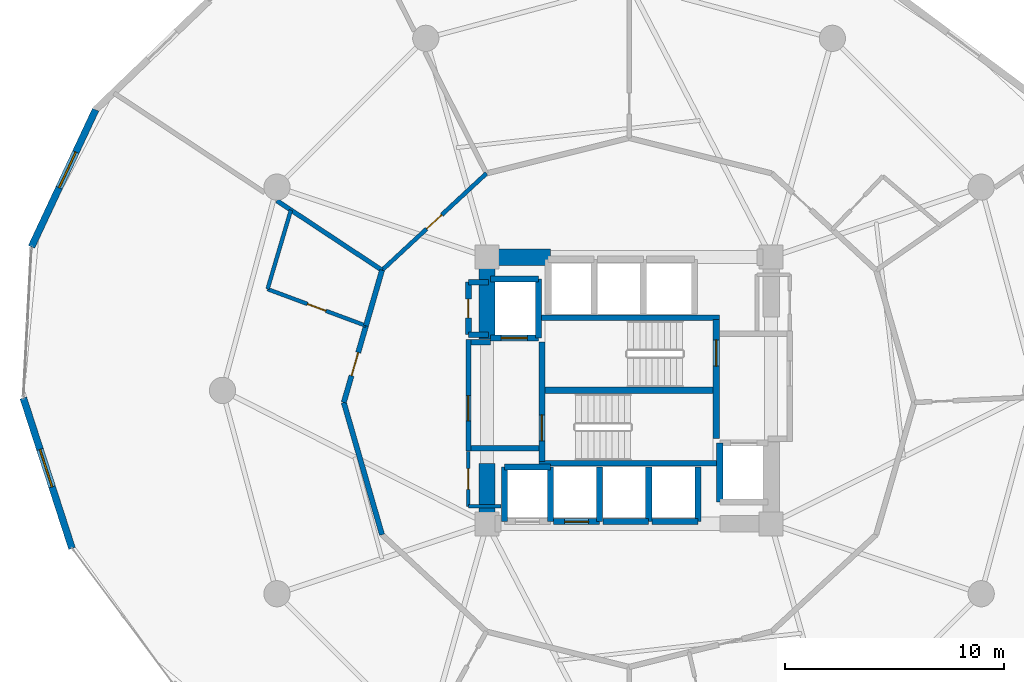
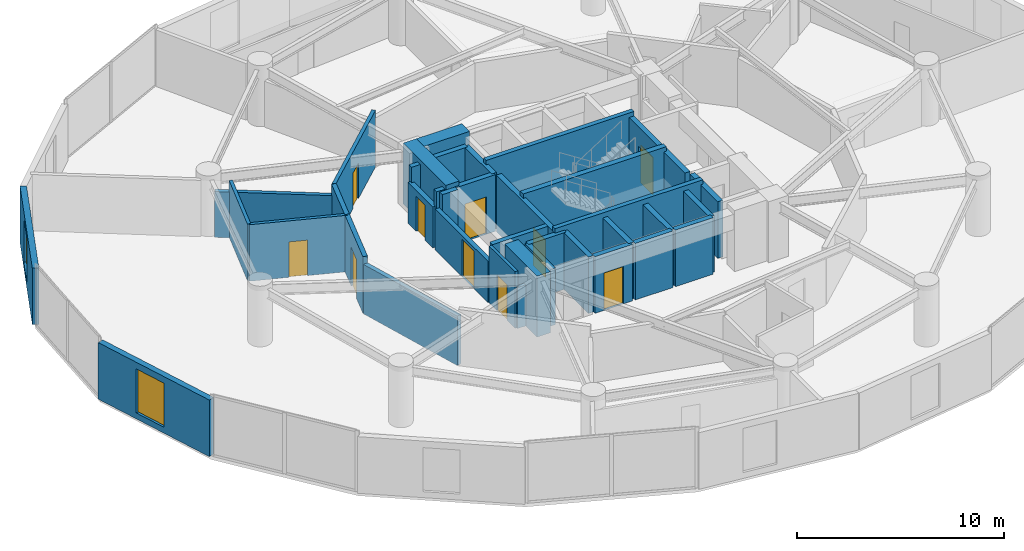
# One storey, part 20 of 25: 38 walls, 10 doors, 2 windows, 12 openings.
"""IFC4 building model written with IfcOpenShell, lengths in metres."""

from ifc_helpers import new_model, si_unit, direction, frame, frame_2d, origin, place, context, subcontext, project, spatial, rectangle, extrude, material, layer, layer_set, type_object, element, fill, save


model = new_model("IFC4")

# Units and contexts
model_context = context("Model", 3, precision=1e-05, world=origin(), true_north=direction((0.0, 1.0)))
body_context = subcontext(model_context, "Body", "Model", "MODEL_VIEW")
ifc_project = project(units=[si_unit("LENGTHUNIT", "METRE"), si_unit("AREAUNIT", "SQUARE_METRE"), si_unit("VOLUMEUNIT", "CUBIC_METRE"), si_unit("PLANEANGLEUNIT", "RADIAN"), si_unit("MASSUNIT", "GRAM", prefix="KILO")], contexts=[model_context])

# Site, building, storey
site_placement = place(None, origin())
site = spatial("IfcSite", under=ifc_project, at=site_placement, CompositionType="ELEMENT")
building_placement = place(site_placement, origin())
building = spatial("IfcBuilding", under=site, at=building_placement, Name="Solvirekh Grand Hotel", CompositionType="ELEMENT")
storey_placement = place(building_placement, frame((0.0, 0.0, 57.199951171875)))
storey = spatial("IfcBuildingStorey", under=building, at=storey_placement, Name="L13", CompositionType="ELEMENT", Elevation=57.199951171875)

# Walls
ifc_material_1 = material(Name="Concrete C50/60", Category="concrete")
ifc_layer_1 = layer(ifc_material_1, 0.35009765625)
ifc_layer_set_1 = layer_set([ifc_layer_1], Name="Concrete C50/60")
wall_type_1 = type_object("IfcWallType", Name="CoreDivWall_RC350", PredefinedType="SOLIDWALL", material=ifc_layer_set_1)
for number, where, z_axis, x_axis, name in (
    (1, (-4.1298828125, -3.324951171875, 0.0), (0.0, 0.0, 1.0), (1.0, 0.0, 0.0), "L13 core stair box wall ST-S"),
    (2, (-4.1298828125, 3.324951171875, 0.0), (0.0, 0.0, 1.0), (1.0, 0.0, 0.0), "L13 core stair box wall ST-N"),
):
    element("IfcWall", number, at=place(storey_placement, frame(where, z_axis=z_axis, x_axis=x_axis)), inside=storey, type_object=wall_type_1, Name=name, PredefinedType="SOLIDWALL", context=body_context, shape_type="SweptSolid", body=[
        extrude(rectangle(XDim=8.259765625, YDim=0.25, at=frame_2d((4.1298828125, 0.0))), origin(), (0.0, 0.0, 1.0), 3.60009765625),
    ])
ifc_material_2 = material(Name="Concrete C40/50", Category="concrete")
ifc_layer_2 = layer(ifc_material_2, 0.280029296875)
ifc_layer_set_2 = layer_set([ifc_layer_2], Name="Concrete C40/50")
wall_type_2 = type_object("IfcWallType", Name="CoreShaftWall_RC280", PredefinedType="SOLIDWALL", material=ifc_layer_set_2)
wall_1_placement = place(storey_placement, frame((-3.60009765625, -3.5, 0.0), z_axis=(0.0, 0.0, 1.0), x_axis=(-1.0, 0.0, 0.0)))
element("IfcWall", 3, at=wall_1_placement, inside=storey, type_object=wall_type_2, Name="L13 LP-1 hoistway N wall", PredefinedType="SOLIDWALL", context=body_context, shape_type="SweptSolid", body=[
    extrude(rectangle(XDim=2.099853515625, YDim=0.280029296875, at=frame_2d((1.0498046875, 0.0))), origin(), (0.0, 0.0, 1.0), 3.340087890625),
])
for number, where, z_axis, x_axis, name in (
    (4, (-5.699951171875, -3.5, 0.0), (0.0, 0.0, 1.0), (0.0, -1.0, 0.0), "L13 LP-1 hoistway W wall"),
    (5, (-3.60009765625, -6.0, 0.0), (0.0, 0.0, 1.0), (0.0, 1.0, 0.0), "L13 LP-1 hoistway E wall"),
):
    element("IfcWall", number, at=place(storey_placement, frame(where, z_axis=z_axis, x_axis=x_axis)), inside=storey, type_object=wall_type_2, Name=name, PredefinedType="SOLIDWALL", context=body_context, shape_type="SweptSolid", body=[
        extrude(rectangle(XDim=2.5, YDim=0.280029296875, at=frame_2d((1.25, 0.0))), origin(), (0.0, 0.0, 1.0), 3.340087890625),
    ])

# Wall, opening, door
wall_2_placement = place(storey_placement, frame((-3.449951171875, -6.0, 0.0), z_axis=(0.0, 0.0, 1.0), x_axis=(1.0, 0.0, 0.0)))
wall_2 = element("IfcWall", 6, at=wall_2_placement, inside=storey, type_object=wall_type_2, Name="L13 LP-2 hoistway S wall", PredefinedType="SOLIDWALL", context=body_context, shape_type="SweptSolid", body=[
    extrude(rectangle(XDim=2.099853515625, YDim=0.280029296875, at=frame_2d((1.0498046875, 0.0))), origin(), (0.0, 0.0, 1.0), 3.340087890625),
])
opening_1_placement = place(wall_2_placement, frame((0.5, 0.0, 0.0)))
opening_1 = element("IfcOpeningElement", 7, at=opening_1_placement, cuts=wall_2, Name="Opening LD01", PredefinedType="OPENING", context=body_context, shape_type="SweptSolid", body=[
    extrude(rectangle(XDim=1.10009765625, YDim=2.199951171875, at=frame_2d((0.550048828125, 1.10009765625))), frame((0.0, 0.14990234375, 0.0), z_axis=(0.0, -1.0, 0.0), x_axis=(1.0, 0.0, 0.0)), (0.0, 0.0, 1.0), 0.300048828125),
])
ifc_material_3 = material(Name="Fire-Rated Steel Door Assembly", Category="steel")
door_type_1 = type_object("IfcDoorType", Name="Door_LiftLanding_1100X2200", OperationType="SLIDING_TO_LEFT", PredefinedType="DOOR", material=ifc_material_3)
door_1_placement = place(opening_1_placement, origin())
door_1 = element("IfcDoor", 8, at=door_1_placement, inside=storey, type_object=door_type_1, Name="L13 LP-2 sliding lift landing door", OperationType="SLIDING_TO_LEFT", OverallHeight=2.199951171875, OverallWidth=1.10009765625, PredefinedType="DOOR", context=body_context, shape_type="SweptSolid", body=[
    extrude(rectangle(XDim=1.10009765625, YDim=2.199951171875, at=frame_2d((0.550048828125, 1.10009765625))), frame((0.0, 0.02490234375, 0.0), z_axis=(0.0, -1.0, 0.0), x_axis=(1.0, 0.0, 0.0)), (0.0, 0.0, 1.0), 0.050048828125),
])
fill(opening_1, door_1)

# Walls
wall_3_placement = place(storey_placement, frame((-1.35009765625, -6.0, 0.0), z_axis=(0.0, 0.0, 1.0), x_axis=(0.0, 1.0, 0.0)))
element("IfcWall", 9, at=wall_3_placement, inside=storey, type_object=wall_type_2, Name="L13 LP-2 hoistway E wall", PredefinedType="SOLIDWALL", context=body_context, shape_type="SweptSolid", body=[
    extrude(rectangle(XDim=2.5, YDim=0.280029296875, at=frame_2d((1.25, 0.0))), origin(), (0.0, 0.0, 1.0), 3.340087890625),
])
wall_4_placement = place(storey_placement, frame((-1.199951171875, -6.0, 0.0), z_axis=(0.0, 0.0, 1.0), x_axis=(1.0, 0.0, 0.0)))
element("IfcWall", 10, at=wall_4_placement, inside=storey, type_object=wall_type_2, Name="L13 MP-1 hoistway S wall", PredefinedType="SOLIDWALL", context=body_context, shape_type="SweptSolid", body=[
    extrude(rectangle(XDim=2.099853515625, YDim=0.280029296875, at=frame_2d((1.0498046875, 0.0))), origin(), (0.0, 0.0, 1.0), 3.340087890625),
])
wall_5_placement = place(storey_placement, frame((0.89990234375, -6.0, 0.0), z_axis=(0.0, 0.0, 1.0), x_axis=(0.0, 1.0, 0.0)))
element("IfcWall", 11, at=wall_5_placement, inside=storey, type_object=wall_type_2, Name="L13 MP-1 hoistway E wall", PredefinedType="SOLIDWALL", context=body_context, shape_type="SweptSolid", body=[
    extrude(rectangle(XDim=2.5, YDim=0.280029296875, at=frame_2d((1.25, 0.0))), origin(), (0.0, 0.0, 1.0), 3.340087890625),
])
wall_6_placement = place(storey_placement, frame((1.050048828125, -6.0, 0.0), z_axis=(0.0, 0.0, 1.0), x_axis=(1.0, 0.0, 0.0)))
element("IfcWall", 12, at=wall_6_placement, inside=storey, type_object=wall_type_2, Name="L13 MP-2 hoistway S wall", PredefinedType="SOLIDWALL", context=body_context, shape_type="SweptSolid", body=[
    extrude(rectangle(XDim=2.099853515625, YDim=0.280029296875, at=frame_2d((1.0498046875, 0.0))), origin(), (0.0, 0.0, 1.0), 3.340087890625),
])
wall_7_placement = place(storey_placement, frame((3.14990234375, -6.0, 0.0), z_axis=(0.0, 0.0, 1.0), x_axis=(0.0, 1.0, 0.0)))
element("IfcWall", 13, at=wall_7_placement, inside=storey, type_object=wall_type_2, Name="L13 MP-2 hoistway E wall", PredefinedType="SOLIDWALL", context=body_context, shape_type="SweptSolid", body=[
    extrude(rectangle(XDim=2.5, YDim=0.280029296875, at=frame_2d((1.25, 0.0))), origin(), (0.0, 0.0, 1.0), 3.340087890625),
])

# Wall, opening, door
wall_8_placement = place(storey_placement, frame((-6.35009765625, 2.39990234375, 0.0), z_axis=(0.0, 0.0, 1.0), x_axis=(1.0, 0.0, 0.0)))
wall_8 = element("IfcWall", 14, at=wall_8_placement, inside=storey, type_object=wall_type_2, Name="L13 FL-1 hoistway S wall", PredefinedType="SOLIDWALL", context=body_context, shape_type="SweptSolid", body=[
    extrude(rectangle(XDim=2.2001953125, YDim=0.280029296875, at=frame_2d((1.10009765625, 0.0))), origin(), (0.0, 0.0, 1.0), 3.340087890625),
])
opening_2_placement = place(wall_8_placement, frame((0.5, 0.0, 0.0)))
opening_2 = element("IfcOpeningElement", 15, at=opening_2_placement, cuts=wall_8, Name="Opening LD02", PredefinedType="OPENING", context=body_context, shape_type="SweptSolid", body=[
    extrude(rectangle(XDim=1.199951171875, YDim=2.199951171875, at=frame_2d((0.60009765625, 1.10009765625))), frame((0.0, 0.14990234375, 0.0), z_axis=(0.0, -1.0, 0.0), x_axis=(1.0, 0.0, 0.0)), (0.0, 0.0, 1.0), 0.300048828125),
])
door_type_2 = type_object("IfcDoorType", Name="Door_LiftFF_1200X2200", OperationType="SLIDING_TO_LEFT", PredefinedType="DOOR", material=ifc_material_3)
door_2_placement = place(opening_2_placement, origin())
door_2 = element("IfcDoor", 16, at=door_2_placement, inside=storey, type_object=door_type_2, Name="L13 FL-1 sliding lift landing door", OperationType="SLIDING_TO_LEFT", OverallHeight=2.199951171875, OverallWidth=1.199951171875, PredefinedType="DOOR", context=body_context, shape_type="SweptSolid", body=[
    extrude(rectangle(XDim=1.199951171875, YDim=2.199951171875, at=frame_2d((0.60009765625, 1.10009765625))), frame((0.0, 0.02490234375, 0.0), z_axis=(0.0, -1.0, 0.0), x_axis=(1.0, 0.0, 0.0)), (0.0, 0.0, 1.0), 0.050048828125),
])
fill(opening_2, door_2)

# Walls
wall_9_placement = place(storey_placement, frame((-4.14990234375, 5.10009765625, 0.0), z_axis=(0.0, 0.0, 1.0), x_axis=(-1.0, 0.0, 0.0)))
element("IfcWall", 17, at=wall_9_placement, inside=storey, type_object=wall_type_2, Name="L13 FL-1 hoistway N wall", PredefinedType="SOLIDWALL", context=body_context, shape_type="SweptSolid", body=[
    extrude(rectangle(XDim=2.2001953125, YDim=0.280029296875, at=frame_2d((1.10009765625, 0.0))), origin(), (0.0, 0.0, 1.0), 3.340087890625),
])
for number, where, z_axis, x_axis, name in (
    (18, (-4.14990234375, 2.39990234375, 0.0), (0.0, 0.0, 1.0), (0.0, 1.0, 0.0), "L13 FL-1 hoistway E wall"),
    (19, (4.14990234375, -2.39990234375, 0.0), (0.0, 0.0, 1.0), (0.0, -1.0, 0.0), "L13 FL-2 hoistway W wall"),
):
    element("IfcWall", number, at=place(storey_placement, frame(where, z_axis=z_axis, x_axis=x_axis)), inside=storey, type_object=wall_type_2, Name=name, PredefinedType="SOLIDWALL", context=body_context, shape_type="SweptSolid", body=[
        extrude(rectangle(XDim=2.7001953125, YDim=0.280029296875, at=frame_2d((1.35009765625, 0.0))), origin(), (0.0, 0.0, 1.0), 3.340087890625),
    ])

# Wall, opening, door
wall_10_placement = place(storey_placement, frame((-3.989990234375, -3.25, 0.0), z_axis=(0.0, 0.0, 1.0), x_axis=(0.0, 1.0, 0.0)))
wall_10 = element("IfcWall", 20, at=wall_10_placement, inside=storey, type_object=wall_type_2, Name="L13 west stair landing enclosure wall", PredefinedType="SOLIDWALL", context=body_context, shape_type="SweptSolid", body=[
    extrude(rectangle(XDim=5.4599609375, YDim=0.280029296875, at=frame_2d((2.72998046875, 0.0))), origin(), (0.0, 0.0, 1.0), 3.340087890625),
])
opening_3_placement = place(wall_10_placement, frame((0.93701171875, 0.0, 0.0)))
opening_3 = element("IfcOpeningElement", 21, at=opening_3_placement, cuts=wall_10, Name="Opening D05", PredefinedType="OPENING", context=body_context, shape_type="SweptSolid", body=[
    extrude(rectangle(XDim=1.199951171875, YDim=2.199951171875, at=frame_2d((0.60009765625, 1.10009765625))), frame((0.0, 0.14990234375, 0.0), z_axis=(0.0, -1.0, 0.0), x_axis=(1.0, 0.0, 0.0)), (0.0, 0.0, 1.0), 0.300048828125),
])
door_type_3 = type_object("IfcDoorType", Name="Door_StairCore_1200X2200", OperationType="NOTDEFINED", PredefinedType="DOOR", material=ifc_material_3)
door_3_placement = place(opening_3_placement, origin())
door_3 = element("IfcDoor", 22, at=door_3_placement, inside=storey, type_object=door_type_3, Name="L13 exit stair ST-1 fire door", OperationType="SINGLE_SWING_RIGHT", OverallHeight=2.199951171875, OverallWidth=1.199951171875, PredefinedType="DOOR", context=body_context, shape_type="SweptSolid", body=[
    extrude(rectangle(XDim=1.199951171875, YDim=2.199951171875, at=frame_2d((0.60009765625, 1.10009765625))), frame((0.0, 0.02490234375, 0.0), z_axis=(0.0, -1.0, 0.0), x_axis=(1.0, 0.0, 0.0)), (0.0, 0.0, 1.0), 0.050048828125),
])
fill(opening_3, door_3)

wall_11_placement = place(storey_placement, frame((3.989990234375, -2.2099609375, 0.0), z_axis=(0.0, 0.0, 1.0), x_axis=(0.0, 1.0, 0.0)))
wall_11 = element("IfcWall", 23, at=wall_11_placement, inside=storey, type_object=wall_type_2, Name="L13 east stair landing enclosure wall", PredefinedType="SOLIDWALL", context=body_context, shape_type="SweptSolid", body=[
    extrude(rectangle(XDim=5.4599609375, YDim=0.280029296875, at=frame_2d((2.72998046875, 0.0))), origin(), (0.0, 0.0, 1.0), 3.340087890625),
])
opening_4_placement = place(wall_11_placement, frame((3.322998046875, 0.0, 0.0)))
opening_4 = element("IfcOpeningElement", 24, at=opening_4_placement, cuts=wall_11, Name="Opening D05", PredefinedType="OPENING", context=body_context, shape_type="SweptSolid", body=[
    extrude(rectangle(XDim=1.199951171875, YDim=2.199951171875, at=frame_2d((0.60009765625, 1.10009765625))), frame((0.0, 0.14990234375, 0.0), z_axis=(0.0, -1.0, 0.0), x_axis=(1.0, 0.0, 0.0)), (0.0, 0.0, 1.0), 0.300048828125),
])
door_4_placement = place(opening_4_placement, origin())
door_4 = element("IfcDoor", 25, at=door_4_placement, inside=storey, type_object=door_type_3, Name="L13 exit stair ST-2 fire door", OperationType="SINGLE_SWING_LEFT", OverallHeight=2.199951171875, OverallWidth=1.199951171875, PredefinedType="DOOR", context=body_context, shape_type="SweptSolid", body=[
    extrude(rectangle(XDim=1.199951171875, YDim=2.199951171875, at=frame_2d((0.60009765625, 1.10009765625))), frame((0.0, 0.02490234375, 0.0), z_axis=(0.0, -1.0, 0.0), x_axis=(1.0, 0.0, 0.0)), (0.0, 0.0, 1.0), 0.050048828125),
])
fill(opening_4, door_4)

# Walls
ifc_material_4 = material(Name="Concrete C60/75", Category="concrete")
ifc_layer_3 = layer(ifc_material_4, 0.75)
ifc_layer_set_3 = layer_set([ifc_layer_3], Name="Concrete C60/75")
wall_type_3 = type_object("IfcWallType", Name="CoreWall_RC750", PredefinedType="SHEAR", material=ifc_layer_set_3)
wall_12_placement = place(storey_placement, frame((-3.989990234375, 0.0, 0.0), z_axis=(0.0, 0.0, 1.0), x_axis=(1.0, 0.0, 0.0)))
element("IfcWall", 26, at=wall_12_placement, inside=storey, type_object=wall_type_3, Name="L13 central stair-spine shear wall", PredefinedType="SHEAR", context=body_context, shape_type="SweptSolid", body=[
    extrude(rectangle(XDim=7.97998046875, YDim=0.300048828125, at=frame_2d((3.989990234375, 0.0))), origin(), (0.0, 0.0, 1.0), 3.60009765625),
])
wall_13_placement = place(storey_placement, frame((-6.125, 6.10009765625, 0.0), z_axis=(0.0, 0.0, 1.0), x_axis=(1.0, 0.0, 0.0)))
element("IfcWall", 27, at=wall_13_placement, inside=storey, type_object=wall_type_3, Name="L13 core corner shear wall NW-N", PredefinedType="SHEAR", context=body_context, shape_type="SweptSolid", body=[
    extrude(rectangle(XDim=2.52490234375, YDim=0.75, at=frame_2d((1.262451171875, 0.0))), origin(), (0.0, 0.0, 1.0), 3.60009765625),
])
wall_14_placement = place(storey_placement, frame((-6.5, 2.35009765625, 0.0), z_axis=(0.0, 0.0, 1.0), x_axis=(0.0, 1.0, 0.0)))
element("IfcWall", 28, at=wall_14_placement, inside=storey, type_object=wall_type_3, Name="L13 core corner shear wall WN-W", PredefinedType="SHEAR", context=body_context, shape_type="SweptSolid", body=[
    extrude(rectangle(XDim=4.125, YDim=0.75, at=frame_2d((2.0625, 0.0))), origin(), (0.0, 0.0, 1.0), 3.60009765625),
])
wall_15_placement = place(storey_placement, frame((-6.5, -6.47509765625, 0.0), z_axis=(0.0, 0.0, 1.0), x_axis=(0.0, 1.0, 0.0)))
element("IfcWall", 29, at=wall_15_placement, inside=storey, type_object=wall_type_3, Name="L13 core corner shear wall WS-W", PredefinedType="SHEAR", context=body_context, shape_type="SweptSolid", body=[
    extrude(rectangle(XDim=3.125, YDim=0.75, at=frame_2d((1.5625, 0.0))), origin(), (0.0, 0.0, 1.0), 3.60009765625),
])

# Wall, opening, window
ifc_material_5 = material(Name="Precast concrete C45/55", Category="concrete")
ifc_layer_4 = layer(ifc_material_5, 0.320068359375)
ifc_layer_set_4 = layer_set([ifc_layer_4], Name="Precast concrete C45/55")
wall_type_4 = type_object("IfcWallType", Name="ExtLobbyWall_RC320", PredefinedType="SOLIDWALL", material=ifc_layer_set_4)
wall_16_placement = place(storey_placement, frame((-27.339111328125, 6.568115234375, 0.0), z_axis=(0.0, 0.0, 1.0), x_axis=(0.423911806675, 0.905703472535, 0.0)))
wall_16 = element("IfcWall", 30, at=wall_16_placement, inside=storey, type_object=wall_type_4, Name="L13 exterior structural wall chord 10", PredefinedType="SOLIDWALL", context=body_context, shape_type="SweptSolid", body=[
    extrude(rectangle(XDim=6.926025390625, YDim=0.320068359375, at=frame_2d((3.462890625, 0.0))), origin(), (0.0, 0.0, 1.0), 3.340087890625),
])
opening_5_placement = place(wall_16_placement, frame((2.988037109375, 0.0, 0.35009765625)))
opening_5 = element("IfcOpeningElement", 31, at=opening_5_placement, cuts=wall_16, Name="Opening W02", PredefinedType="OPENING", context=body_context, shape_type="SweptSolid", body=[
    extrude(rectangle(XDim=1.800048828125, YDim=2.60009765625, at=frame_2d((0.89990234375, 1.300048828125))), frame((0.0, 0.169921875, 0.0), z_axis=(0.0, -1.0, 0.0), x_axis=(1.0, 0.0, 0.0)), (0.0, 0.0, 1.0), 0.340087890625),
])
ifc_material_6 = material(Name="Low-E Tinted Bronze Laminated Glass", Category="aluminium")
window_type = type_object("IfcWindowType", Name="Win_LobbyExt_1800X2600", PartitioningType="SINGLE_PANEL", PredefinedType="WINDOW", material=ifc_material_6)
window_1_placement = place(opening_5_placement, origin())
window_1 = element("IfcWindow", 32, at=window_1_placement, inside=storey, type_object=window_type, Name="L13 panoramic bronze-framed window 10", OverallHeight=2.60009765625, OverallWidth=1.800048828125, PartitioningType="SINGLE_PANEL", PredefinedType="WINDOW", context=body_context, shape_type="SweptSolid", body=[
    extrude(rectangle(XDim=1.800048828125, YDim=2.60009765625, at=frame_2d((0.89990234375, 1.300048828125))), frame((0.0, 0.030029296875, 0.0), z_axis=(0.0, -1.0, 0.0), x_axis=(1.0, 0.0, 0.0)), (0.0, 0.0, 1.0), 0.06005859375),
])
fill(opening_5, window_1)

wall_17_placement = place(storey_placement, frame((-25.48291015625, -7.22900390625, 0.0), z_axis=(0.0, 0.0, 1.0), x_axis=(-0.308004491878, 0.951384902646, 0.0)))
wall_17 = element("IfcWall", 33, at=wall_17_placement, inside=storey, type_object=wall_type_4, Name="L13 exterior structural wall chord 12", PredefinedType="SOLIDWALL", context=body_context, shape_type="SweptSolid", body=[
    extrude(rectangle(XDim=7.233642578125, YDim=0.320068359375, at=frame_2d((3.61669921875, 0.0))), origin(), (0.0, 0.0, 1.0), 3.340087890625),
])
opening_6_placement = place(wall_17_placement, frame((2.9599609375, 0.0, 0.35009765625)))
opening_6 = element("IfcOpeningElement", 34, at=opening_6_placement, cuts=wall_17, Name="Opening W02", PredefinedType="OPENING", context=body_context, shape_type="SweptSolid", body=[
    extrude(rectangle(XDim=1.800048828125, YDim=2.60009765625, at=frame_2d((0.89990234375, 1.300048828125))), frame((0.0, 0.169921875, 0.0), z_axis=(0.0, -1.0, 0.0), x_axis=(1.0, 0.0, 0.0)), (0.0, 0.0, 1.0), 0.340087890625),
])
window_2_placement = place(opening_6_placement, origin())
window_2 = element("IfcWindow", 35, at=window_2_placement, inside=storey, type_object=window_type, Name="L13 panoramic bronze-framed window 12", OverallHeight=2.60009765625, OverallWidth=1.800048828125, PartitioningType="SINGLE_PANEL", PredefinedType="WINDOW", context=body_context, shape_type="SweptSolid", body=[
    extrude(rectangle(XDim=1.800048828125, YDim=2.60009765625, at=frame_2d((0.89990234375, 1.300048828125))), frame((0.0, 0.030029296875, 0.0), z_axis=(0.0, -1.0, 0.0), x_axis=(1.0, 0.0, 0.0)), (0.0, 0.0, 1.0), 0.06005859375),
])
fill(opening_6, window_2)

# Wall
ifc_material_7 = material(Name="Acoustic Gypsum Partition Assembly")
ifc_layer_5 = layer(ifc_material_7, 0.1650390625)
ifc_layer_set_5 = layer_set([ifc_layer_5], Name="Acoustic Gypsum Partition Assembly")
wall_type_5 = type_object("IfcWallType", Name="Part_BOH_165", PredefinedType="PARTITIONING", material=ifc_layer_set_5)
wall_18_placement = place(storey_placement, frame((-7.35009765625, -5.300048828125, 0.0), z_axis=(0.0, 0.0, 1.0), x_axis=(1.0, 0.0, 0.0)))
element("IfcWall", 36, at=wall_18_placement, inside=storey, type_object=wall_type_5, Name="L13 L13 Core Linen Store wall 1", PredefinedType="PARTITIONING", context=body_context, shape_type="SweptSolid", body=[
    extrude(rectangle(XDim=1.5, YDim=0.1650390625, at=frame_2d((0.75, 0.0))), origin(), (0.0, 0.0, 1.0), 2.425048828125),
])

# Wall, opening, door
wall_19_placement = place(storey_placement, frame((-7.35009765625, -2.800048828125, 0.0), z_axis=(0.0, 0.0, 1.0), x_axis=(0.0, -1.0, 0.0)))
wall_19 = element("IfcWall", 37, at=wall_19_placement, inside=storey, type_object=wall_type_5, Name="L13 L13 Core Linen Store wall 4", PredefinedType="PARTITIONING", context=body_context, shape_type="SweptSolid", body=[
    extrude(rectangle(XDim=2.5, YDim=0.1650390625, at=frame_2d((1.25, 0.0))), origin(), (0.0, 0.0, 1.0), 3.340087890625),
])
opening_7_placement = place(wall_19_placement, frame((0.77490234375, 0.0, 0.0)))
opening_7 = element("IfcOpeningElement", 38, at=opening_7_placement, cuts=wall_19, Name="Opening D10", PredefinedType="OPENING", context=body_context, shape_type="SweptSolid", body=[
    extrude(rectangle(XDim=0.949951171875, YDim=2.10009765625, at=frame_2d((0.47509765625, 1.050048828125))), frame((0.0, 0.092529296875, 0.0), z_axis=(0.0, -1.0, 0.0), x_axis=(1.0, 0.0, 0.0)), (0.0, 0.0, 1.0), 0.18505859375),
])
ifc_material_8 = material(Name="Anodized Bronze Aluminium 6063-T6", Category="aluminium")
door_type_4 = type_object("IfcDoorType", Name="Door_RoomInt_950X2100", OperationType="NOTDEFINED", PredefinedType="DOOR", material=ifc_material_8)
door_5_placement = place(opening_7_placement, origin())
door_5 = element("IfcDoor", 39, at=door_5_placement, inside=storey, type_object=door_type_4, Name="L13 L13 Core Linen Store door", OperationType="SINGLE_SWING_LEFT", OverallHeight=2.10009765625, OverallWidth=0.949951171875, PredefinedType="DOOR", context=body_context, shape_type="SweptSolid", body=[
    extrude(rectangle(XDim=0.949951171875, YDim=2.10009765625, at=frame_2d((0.47509765625, 1.050048828125))), frame((0.0, 0.02490234375, 0.0), z_axis=(0.0, -1.0, 0.0), x_axis=(1.0, 0.0, 0.0)), (0.0, 0.0, 1.0), 0.050048828125),
])
fill(opening_7, door_5)

ifc_layer_6 = layer(ifc_material_7, 0.239990234375)
ifc_layer_set_6 = layer_set([ifc_layer_6], Name="Acoustic Gypsum Partition Assembly")
wall_type_6 = type_object("IfcWallType", Name="Part_Corridor_240", PredefinedType="PARTITIONING", material=ifc_layer_set_6)
wall_20_placement = place(storey_placement, frame((-7.35009765625, -2.780029296875, 0.0), z_axis=(0.0, 0.0, 1.0), x_axis=(0.0, 1.0, 0.0)))
wall_20 = element("IfcWall", 40, at=wall_20_placement, inside=storey, type_object=wall_type_6, Name="L13 west firefighting lobby smoke screen wall", PredefinedType="PARTITIONING", context=body_context, shape_type="SweptSolid", body=[
    extrude(rectangle(XDim=5.1201171875, YDim=0.239990234375, at=frame_2d((2.56005859375, 0.0))), origin(), (0.0, 0.0, 1.0), 2.425048828125),
])
opening_8_placement = place(wall_20_placement, frame((1.388916015625, 0.0, 0.0)))
opening_8 = element("IfcOpeningElement", 41, at=opening_8_placement, cuts=wall_20, Name="Opening D06", PredefinedType="OPENING", context=body_context, shape_type="SweptSolid", body=[
    extrude(rectangle(XDim=1.14990234375, YDim=2.199951171875, at=frame_2d((0.574951171875, 1.10009765625))), frame((0.0, 0.1298828125, 0.0), z_axis=(0.0, -1.0, 0.0), x_axis=(1.0, 0.0, 0.0)), (0.0, 0.0, 1.0), 0.260009765625),
])
door_type_5 = type_object("IfcDoorType", Name="Door_FFLobby_1150X2200", OperationType="NOTDEFINED", PredefinedType="DOOR", material=ifc_material_3)
door_6_placement = place(opening_8_placement, origin())
door_6 = element("IfcDoor", 42, at=door_6_placement, inside=storey, type_object=door_type_5, Name="L13 west firefighting lobby smoke door", OperationType="SINGLE_SWING_RIGHT", OverallHeight=2.199951171875, OverallWidth=1.14990234375, PredefinedType="DOOR", context=body_context, shape_type="SweptSolid", body=[
    extrude(rectangle(XDim=1.14990234375, YDim=2.199951171875, at=frame_2d((0.574951171875, 1.10009765625))), frame((0.0, 0.02490234375, 0.0), z_axis=(0.0, -1.0, 0.0), x_axis=(1.0, 0.0, 0.0)), (0.0, 0.0, 1.0), 0.050048828125),
])
fill(opening_8, door_6)

# Walls
wall_21_placement = place(storey_placement, frame((-11.302001953125, 5.5, 0.0), z_axis=(0.0, 0.0, 1.0), x_axis=(-0.277475281216, -0.960732776746, 0.0)))
element("IfcWall", 43, at=wall_21_placement, inside=storey, type_object=wall_type_6, Name="L13 En-suite Bathroom 1501 corridor backing wall", PredefinedType="PARTITIONING", context=body_context, shape_type="SweptSolid", body=[
    extrude(rectangle(XDim=2.644775390625, YDim=0.239990234375, at=frame_2d((1.322265625, 0.0))), origin(), (0.0, 0.0, 1.0), 3.340087890625),
])
wall_22_placement = place(storey_placement, frame((-13.050048828125, -0.550048828125, 0.0), z_axis=(0.0, 0.0, 1.0), x_axis=(0.27757702443, -0.960703385811, 0.0)))
element("IfcWall", 44, at=wall_22_placement, inside=storey, type_object=wall_type_6, Name="L13 Presidential Suite 1501 Living Room corridor wall 1", PredefinedType="PARTITIONING", context=body_context, shape_type="SweptSolid", body=[
    extrude(rectangle(XDim=6.297607421875, YDim=0.239990234375, at=frame_2d((3.14892578125, 0.0))), origin(), (0.0, 0.0, 1.0), 2.9189453125),
])

# Wall, opening, door
wall_23_placement = place(storey_placement, frame((-12.035888671875, 2.958984375, 0.0), z_axis=(0.0, 0.0, 1.0), x_axis=(-0.277650694477, -0.960682097187, 0.0)))
wall_23 = element("IfcWall", 45, at=wall_23_placement, inside=storey, type_object=wall_type_6, Name="L13 Presidential Suite 1501 Living Room entrance wall", PredefinedType="PARTITIONING", context=body_context, shape_type="SweptSolid", body=[
    extrude(rectangle(XDim=3.652587890625, YDim=0.239990234375, at=frame_2d((1.826171875, 0.0))), origin(), (0.0, 0.0, 1.0), 3.340087890625),
])
opening_9_placement = place(wall_23_placement, frame((1.27587890625, 0.0, 0.0)))
opening_9 = element("IfcOpeningElement", 46, at=opening_9_placement, cuts=wall_23, Name="Opening D08", PredefinedType="OPENING", context=body_context, shape_type="SweptSolid", body=[
    extrude(rectangle(XDim=1.10009765625, YDim=2.300048828125, at=frame_2d((0.550048828125, 1.14990234375))), frame((0.0, 0.1298828125, 0.0), z_axis=(0.0, -1.0, 0.0), x_axis=(1.0, 0.0, 0.0)), (0.0, 0.0, 1.0), 0.260009765625),
])
door_type_6 = type_object("IfcDoorType", Name="Door_SuiteEntry_1100X2300", OperationType="NOTDEFINED", PredefinedType="DOOR", material=ifc_material_3)
door_7_placement = place(opening_9_placement, origin())
door_7 = element("IfcDoor", 47, at=door_7_placement, inside=storey, type_object=door_type_6, Name="L13 Presidential Suite 1501 Living Room entrance door", OperationType="SINGLE_SWING_RIGHT", OverallHeight=2.300048828125, OverallWidth=1.10009765625, PredefinedType="DOOR", context=body_context, shape_type="SweptSolid", body=[
    extrude(rectangle(XDim=1.10009765625, YDim=2.300048828125, at=frame_2d((0.550048828125, 1.14990234375))), frame((0.0, 0.02490234375, 0.0), z_axis=(0.0, -1.0, 0.0), x_axis=(1.0, 0.0, 0.0)), (0.0, 0.0, 1.0), 0.050048828125),
])
fill(opening_9, door_7)

ifc_layer_7 = layer(ifc_material_7, 0.18994140625)
ifc_layer_set_7 = layer_set([ifc_layer_7], Name="Acoustic Gypsum Partition Assembly")
wall_type_7 = type_object("IfcWallType", Name="Part_GuestDemise_190", PredefinedType="PARTITIONING", material=ifc_layer_set_7)
wall_24_placement = place(storey_placement, frame((-6.52490234375, 9.928955078125, 0.0), z_axis=(0.0, 0.0, 1.0), x_axis=(-0.733323191675, -0.679880207501, 0.0)))
wall_24 = element("IfcWall", 48, at=wall_24_placement, inside=storey, type_object=wall_type_7, Name="L13 L13 Sommelier Tea Lounge entrance wall", PredefinedType="PARTITIONING", context=body_context, shape_type="SweptSolid", body=[
    extrude(rectangle(XDim=6.514404296875, YDim=0.18994140625, at=frame_2d((3.25732421875, 0.0))), origin(), (0.0, 0.0, 1.0), 3.340087890625),
])
opening_10_placement = place(wall_24_placement, frame((2.781982421875, 0.0, 0.0)))
opening_10 = element("IfcOpeningElement", 49, at=opening_10_placement, cuts=wall_24, Name="Opening D10", PredefinedType="OPENING", context=body_context, shape_type="SweptSolid", body=[
    extrude(rectangle(XDim=0.949951171875, YDim=2.10009765625, at=frame_2d((0.47509765625, 1.050048828125))), frame((0.0, 0.10498046875, 0.0), z_axis=(0.0, -1.0, 0.0), x_axis=(1.0, 0.0, 0.0)), (0.0, 0.0, 1.0), 0.2099609375),
])
door_8_placement = place(opening_10_placement, origin())
door_8 = element("IfcDoor", 50, at=door_8_placement, inside=storey, type_object=door_type_4, Name="L13 L13 Sommelier Tea Lounge entrance door", OperationType="SINGLE_SWING_LEFT", OverallHeight=2.10009765625, OverallWidth=0.949951171875, PredefinedType="DOOR", context=body_context, shape_type="SweptSolid", body=[
    extrude(rectangle(XDim=0.949951171875, YDim=2.10009765625, at=frame_2d((0.47509765625, 1.050048828125))), frame((0.0, 0.02490234375, 0.0), z_axis=(0.0, -1.0, 0.0), x_axis=(1.0, 0.0, 0.0)), (0.0, 0.0, 1.0), 0.050048828125),
])
fill(opening_10, door_8)

# Walls
ifc_layer_8 = layer(ifc_material_7, 0.260009765625)
ifc_layer_set_8 = layer_set([ifc_layer_8], Name="Acoustic Gypsum Partition Assembly")
wall_type_8 = type_object("IfcWallType", Name="Part_LobbyFF_260", PredefinedType="PARTITIONING", material=ifc_layer_set_8)
wall_25_placement = place(storey_placement, frame((-7.22509765625, -2.64990234375, 0.0), z_axis=(0.0, 0.0, 1.0), x_axis=(1.0, 0.0, 0.0)))
element("IfcWall", 51, at=wall_25_placement, inside=storey, type_object=wall_type_8, Name="L13 west firefighting lobby south partition", PredefinedType="PARTITIONING", context=body_context, shape_type="SweptSolid", body=[
    extrude(rectangle(XDim=3.09521484375, YDim=0.260009765625, at=frame_2d((1.547607421875, 0.0))), origin(), (0.0, 0.0, 1.0), 3.340087890625),
])
wall_26_placement = place(storey_placement, frame((-7.22509765625, 2.2099609375, 0.0), z_axis=(0.0, 0.0, 1.0), x_axis=(1.0, 0.0, 0.0)))
element("IfcWall", 52, at=wall_26_placement, inside=storey, type_object=wall_type_8, Name="L13 west firefighting lobby NW cheek", PredefinedType="PARTITIONING", context=body_context, shape_type="SweptSolid", body=[
    extrude(rectangle(XDim=0.875, YDim=0.260009765625, at=frame_2d((0.4375, 0.0))), origin(), (0.0, 0.0, 1.0), 3.340087890625),
])
for number, where, z_axis, x_axis, name in (
    (53, (-7.35009765625, 4.949951171875, 0.0), (0.0, 0.0, 1.0), (1.0, 0.0, 0.0), "L13 NW telecom metering cupboard north wall"),
    (54, (-7.35009765625, 2.550048828125, 0.0), (0.0, 0.0, 1.0), (1.0, 0.0, 0.0), "L13 NW telecom metering cupboard south wall"),
):
    element("IfcWall", number, at=place(storey_placement, frame(where, z_axis=z_axis, x_axis=x_axis)), inside=storey, type_object=wall_type_8, Name=name, PredefinedType="PARTITIONING", context=body_context, shape_type="SweptSolid", body=[
        extrude(rectangle(XDim=0.93017578125, YDim=0.260009765625, at=frame_2d((0.465087890625, 0.0))), origin(), (0.0, 0.0, 1.0), 3.340087890625),
    ])

# Wall, opening, door
wall_27_placement = place(storey_placement, frame((-7.35009765625, 2.550048828125, 0.0), z_axis=(0.0, 0.0, 1.0), x_axis=(0.0, 1.0, 0.0)))
wall_27 = element("IfcWall", 55, at=wall_27_placement, inside=storey, type_object=wall_type_8, Name="L13 NW telecom metering cupboard access wall", PredefinedType="PARTITIONING", context=body_context, shape_type="SweptSolid", body=[
    extrude(rectangle(XDim=2.39990234375, YDim=0.260009765625, at=frame_2d((1.199951171875, 0.0))), origin(), (0.0, 0.0, 1.0), 2.425048828125),
])
opening_11_placement = place(wall_27_placement, frame((0.77490234375, 0.0, 0.0)))
opening_11 = element("IfcOpeningElement", 56, at=opening_11_placement, cuts=wall_27, Name="Opening D13", PredefinedType="OPENING", context=body_context, shape_type="SweptSolid", body=[
    extrude(rectangle(XDim=0.85009765625, YDim=2.050048828125, at=frame_2d((0.425048828125, 1.02490234375))), frame((0.0, 0.14013671875, 0.0), z_axis=(0.0, -1.0, 0.0), x_axis=(1.0, 0.0, 0.0)), (0.0, 0.0, 1.0), 0.280029296875),
])
door_type_7 = type_object("IfcDoorType", Name="Door_RiserShaft_850X2050", OperationType="NOTDEFINED", PredefinedType="DOOR", material=ifc_material_3)
door_9_placement = place(opening_11_placement, origin())
door_9 = element("IfcDoor", 57, at=door_9_placement, inside=storey, type_object=door_type_7, Name="L13 telecom metering cupboard access door", OperationType="SINGLE_SWING_RIGHT", OverallHeight=2.050048828125, OverallWidth=0.85009765625, PredefinedType="DOOR", context=body_context, shape_type="SweptSolid", body=[
    extrude(rectangle(XDim=0.85009765625, YDim=2.050048828125, at=frame_2d((0.425048828125, 1.02490234375))), frame((0.0, 0.02490234375, 0.0), z_axis=(0.0, -1.0, 0.0), x_axis=(1.0, 0.0, 0.0)), (0.0, 0.0, 1.0), 0.050048828125),
])
fill(opening_11, door_9)

# Walls
ifc_layer_9 = layer(ifc_material_7, 0.2099609375)
ifc_layer_set_9 = layer_set([ifc_layer_9], Name="Acoustic Gypsum Partition Assembly")
wall_type_9 = type_object("IfcWallType", Name="Part_SuiteDemise_210", PredefinedType="PARTITIONING", material=ifc_layer_set_9)
wall_28_placement = place(storey_placement, frame((-11.302001953125, 5.5, 0.0), z_axis=(0.0, 0.0, 1.0), x_axis=(-0.834238648556, 0.551403552088, 0.0)))
element("IfcWall", 58, at=wall_28_placement, inside=storey, type_object=wall_type_9, Name="L13 suite radial wall 6 (A)", PredefinedType="PARTITIONING", context=body_context, shape_type="SweptSolid", body=[
    extrude(rectangle(XDim=5.76708984375, YDim=0.2099609375, at=frame_2d((2.883544921875, 0.0))), origin(), (0.0, 0.0, 1.0), 2.70703125),
])
ifc_layer_10 = layer(ifc_material_7, 0.175048828125)
ifc_layer_set_10 = layer_set([ifc_layer_10], Name="Acoustic Gypsum Partition Assembly")
wall_type_10 = type_object("IfcWallType", Name="Plumb_Ensuite_175", PredefinedType="PLUMBINGWALL", material=ifc_layer_set_10)
wall_29_placement = place(storey_placement, frame((-15.468994140625, 8.25390625, 0.0), z_axis=(0.0, 0.0, 1.0), x_axis=(-0.283315036378, -0.959026897518, 0.0)))
element("IfcWall", 59, at=wall_29_placement, inside=storey, type_object=wall_type_10, Name="L13 En-suite Bathroom 1501 outer plumbing wall", PredefinedType="PLUMBINGWALL", context=body_context, shape_type="SweptSolid", body=[
    extrude(rectangle(XDim=3.7734375, YDim=0.175048828125, at=frame_2d((1.88671875, 0.0))), origin(), (0.0, 0.0, 1.0), 3.340087890625),
])

# Wall, opening, door
wall_30_placement = place(storey_placement, frame((-12.035888671875, 2.958984375, 0.0), z_axis=(0.0, 0.0, 1.0), x_axis=(-0.937168147188, 0.348878007182, 0.0)))
wall_30 = element("IfcWall", 60, at=wall_30_placement, inside=storey, type_object=wall_type_10, Name="L13 En-suite Bathroom 1501 entry plumbing wall", PredefinedType="PLUMBINGWALL", context=body_context, shape_type="SweptSolid", body=[
    extrude(rectangle(XDim=4.803955078125, YDim=0.175048828125, at=frame_2d((2.40185546875, 0.0))), origin(), (0.0, 0.0, 1.0), 3.340087890625),
])
opening_12_placement = place(wall_30_placement, frame((1.951904296875, 0.0, 0.0)))
opening_12 = element("IfcOpeningElement", 61, at=opening_12_placement, cuts=wall_30, Name="Opening D09", PredefinedType="OPENING", context=body_context, shape_type="SweptSolid", body=[
    extrude(rectangle(XDim=0.89990234375, YDim=2.10009765625, at=frame_2d((0.449951171875, 1.050048828125))), frame((0.0, 0.09765625, 0.0), z_axis=(0.0, -1.0, 0.0), x_axis=(1.0, 0.0, 0.0)), (0.0, 0.0, 1.0), 0.195068359375),
])
door_type_8 = type_object("IfcDoorType", Name="Door_Ensuite_900X2100", OperationType="NOTDEFINED", PredefinedType="DOOR", material=ifc_material_8)
door_10_placement = place(opening_12_placement, origin())
door_10 = element("IfcDoor", 62, at=door_10_placement, inside=storey, type_object=door_type_8, Name="L13 En-suite Bathroom 1501 door", OperationType="SINGLE_SWING_LEFT", OverallHeight=2.10009765625, OverallWidth=0.89990234375, PredefinedType="DOOR", context=body_context, shape_type="SweptSolid", body=[
    extrude(rectangle(XDim=0.89990234375, YDim=2.10009765625, at=frame_2d((0.449951171875, 1.050048828125))), frame((0.0, 0.02490234375, 0.0), z_axis=(0.0, -1.0, 0.0), x_axis=(1.0, 0.0, 0.0)), (0.0, 0.0, 1.0), 0.050048828125),
])
fill(opening_12, door_10)

save(model, "model.ifc")
